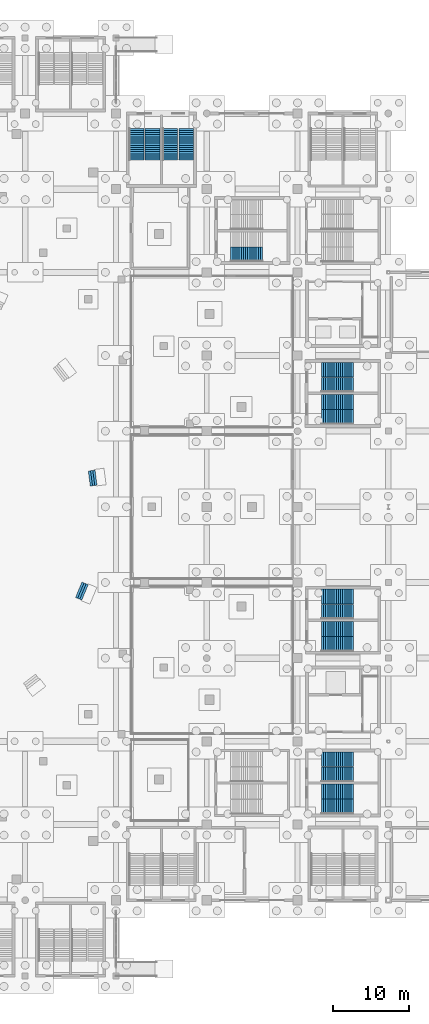
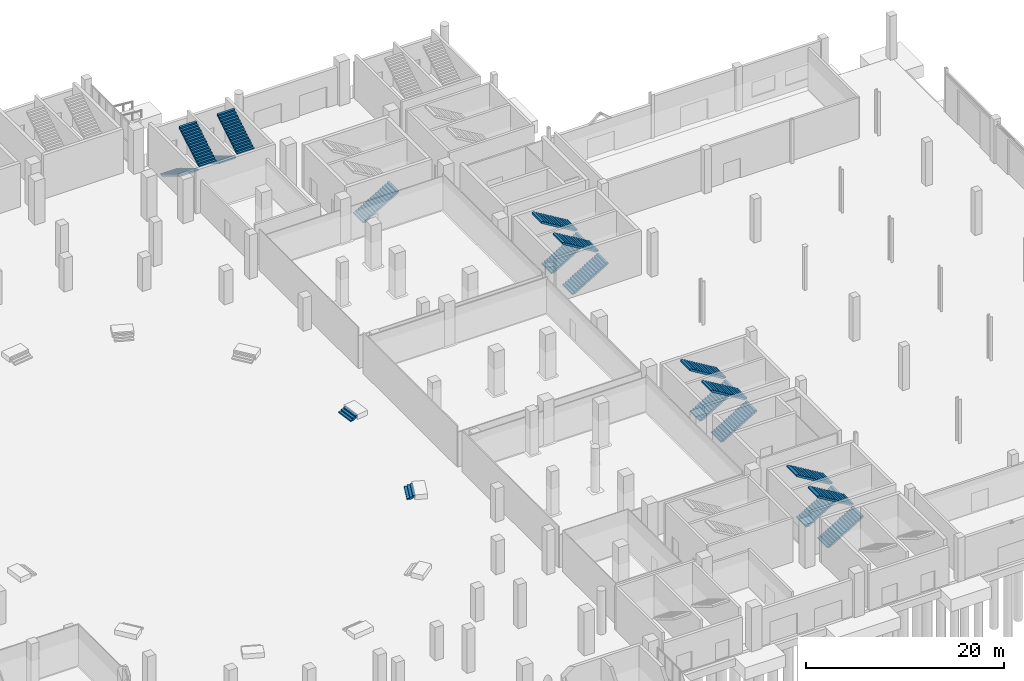
# One storey, part 61 of 70: 19 stair flights, 11 elements without a shape of their own.
"""IFC4 building model written with IfcOpenShell, lengths in metres."""

from ifc_helpers import new_model, si_unit, direction, frame, origin, place, context, subcontext, project, spatial, polyline, outline, extrude, material, layer, layer_set, type_object, element, aggregate, save


model = new_model("IFC4")

# Units and contexts
model_context = context("Model", 3, precision=1e-05, world=origin(), true_north=direction((0.0, 1.0)))
body_context = subcontext(model_context, "Body", "Model", "MODEL_VIEW")
ifc_project = project(units=[si_unit("LENGTHUNIT", "METRE"), si_unit("AREAUNIT", "SQUARE_METRE"), si_unit("VOLUMEUNIT", "CUBIC_METRE"), si_unit("PLANEANGLEUNIT", "RADIAN"), si_unit("MASSUNIT", "GRAM", prefix="KILO")], contexts=[model_context])

# Site, building, storey
site_placement = place(None, origin())
site = spatial("IfcSite", under=ifc_project, at=site_placement, CompositionType="ELEMENT")
building_placement = place(site_placement, origin())
building = spatial("IfcBuilding", under=site, at=building_placement, Name="Brinegate Civic Arena", CompositionType="ELEMENT")
storey_placement = place(building_placement, origin())
storey = spatial("IfcBuildingStorey", under=building, at=storey_placement, Name="L00", CompositionType="ELEMENT", Elevation=0.0)

# Stair, stair flights
ifc_material = material(Name="Concrete C40/50", Category="concrete")
stair_type_1 = type_object("IfcStairType", Name="STAIR-EXIT-3700", PredefinedType="HALF_TURN_STAIR", material=ifc_material)
stair_1_placement = place(storey_placement, origin())
stair_1 = element("IfcStair", 1, at=stair_1_placement, inside=storey, type_object=stair_type_1, Name="Protected Exit Stair ST-09B (L00)", PredefinedType="HALF_TURN_STAIR")
ifc_layer_1 = layer(ifc_material, 0.179931640625, Name="Concrete C40/50")
ifc_layer_set_1 = layer_set([ifc_layer_1], Name="Concrete C40/50")
stair_flight_type_1 = type_object("IfcStairFlightType", Name="FLIGHT-EXIT-3700", PredefinedType="STRAIGHT", material=ifc_layer_set_1)
stair_flight_1_placement = place(storey_placement, frame((159.169921875, 78.139892578125, 0.0), z_axis=(0.0, 0.0, 1.0), x_axis=(1.0, 0.0, 0.0)))
stair_flight_1 = element("IfcStairFlight", 2, at=stair_flight_1_placement, type_object=stair_flight_type_1, Name="ST-09B flight 1", NumberOfRisers=16, NumberOfTreads=15, PredefinedType="STRAIGHT", RiserHeight=0.16875, TreadLength=0.28, context=body_context, shape_type="SweptSolid", body=[
    extrude(outline(polyline([(0.0, 0.0), (0.0, 0.168701171875), (0.280029296875, 0.168701171875), (0.280029296875, 0.33740234375), (0.56005859375, 0.33740234375), (0.56005859375, 0.50634765625), (0.840087890625, 0.50634765625), (0.840087890625, 0.675048828125), (1.1201171875, 0.675048828125), (1.1201171875, 0.84375), (1.39990234375, 0.84375), (1.39990234375, 1.012451171875), (1.679931640625, 1.012451171875), (1.679931640625, 1.18115234375), (1.9599609375, 1.18115234375), (1.9599609375, 1.35009765625), (2.239990234375, 1.35009765625), (2.239990234375, 1.518798828125), (2.52001953125, 1.518798828125), (2.52001953125, 1.6875), (2.800048828125, 1.6875), (2.800048828125, 1.856201171875), (3.080078125, 1.856201171875), (3.080078125, 2.02490234375), (3.360107421875, 2.02490234375), (3.360107421875, 2.19384765625), (3.639892578125, 2.19384765625), (3.639892578125, 2.362548828125), (3.919921875, 2.362548828125), (3.919921875, 2.53125), (4.199951171875, 2.53125), (4.199951171875, 2.699951171875), (4.199951171875, 2.3212890625), (0.3486328125, 0.0), (0.0, 0.0)])), frame((0.0, 0.97998046875, 0.0), z_axis=(0.0, -1.0, 0.0), x_axis=(1.0, 0.0, 0.0)), (0.0, 0.0, 1.0), 1.9599609375),
])
stair_flight_2_placement = place(storey_placement, frame((163.3701171875, 80.110107421875, 2.699951171875), z_axis=(0.0, 0.0, 1.0), x_axis=(-1.0, 0.0, 0.0)))
stair_flight_2 = element("IfcStairFlight", 3, at=stair_flight_2_placement, type_object=stair_flight_type_1, Name="ST-09B flight 2", NumberOfRisers=16, NumberOfTreads=15, PredefinedType="STRAIGHT", RiserHeight=0.16875, TreadLength=0.28, context=body_context, shape_type="SweptSolid", body=[
    extrude(outline(polyline([(0.0, 0.0), (0.0, 0.168701171875), (0.280029296875, 0.168701171875), (0.280029296875, 0.33740234375), (0.56005859375, 0.33740234375), (0.56005859375, 0.50634765625), (0.840087890625, 0.50634765625), (0.840087890625, 0.675048828125), (1.1201171875, 0.675048828125), (1.1201171875, 0.84375), (1.39990234375, 0.84375), (1.39990234375, 1.012451171875), (1.679931640625, 1.012451171875), (1.679931640625, 1.18115234375), (1.9599609375, 1.18115234375), (1.9599609375, 1.35009765625), (2.239990234375, 1.35009765625), (2.239990234375, 1.518798828125), (2.52001953125, 1.518798828125), (2.52001953125, 1.6875), (2.800048828125, 1.6875), (2.800048828125, 1.856201171875), (3.080078125, 1.856201171875), (3.080078125, 2.02490234375), (3.360107421875, 2.02490234375), (3.360107421875, 2.19384765625), (3.639892578125, 2.19384765625), (3.639892578125, 2.362548828125), (3.919921875, 2.362548828125), (3.919921875, 2.53125), (4.199951171875, 2.53125), (4.199951171875, 2.699951171875), (4.199951171875, 2.3212890625), (0.3486328125, 0.0), (0.0, 0.0)])), frame((0.0, 0.97998046875, 0.0), z_axis=(0.0, -1.0, 0.0), x_axis=(1.0, 0.0, 0.0)), (0.0, 0.0, 1.0), 1.9599609375),
])
aggregate(stair_1, [stair_flight_1, stair_flight_2])

stair_2_placement = place(storey_placement, origin())
stair_2 = element("IfcStair", 4, at=stair_2_placement, inside=storey, type_object=stair_type_1, Name="Protected Exit Stair ST-10B (L00)", PredefinedType="HALF_TURN_STAIR")
stair_flight_3_placement = place(storey_placement, frame((159.169921875, 48.139892578125, 0.0), z_axis=(0.0, 0.0, 1.0), x_axis=(1.0, 0.0, 0.0)))
stair_flight_3 = element("IfcStairFlight", 5, at=stair_flight_3_placement, type_object=stair_flight_type_1, Name="ST-10B flight 1", NumberOfRisers=16, NumberOfTreads=15, PredefinedType="STRAIGHT", RiserHeight=0.16875, TreadLength=0.28, context=body_context, shape_type="SweptSolid", body=[
    extrude(outline(polyline([(0.0, 0.0), (0.0, 0.168701171875), (0.280029296875, 0.168701171875), (0.280029296875, 0.33740234375), (0.56005859375, 0.33740234375), (0.56005859375, 0.50634765625), (0.840087890625, 0.50634765625), (0.840087890625, 0.675048828125), (1.1201171875, 0.675048828125), (1.1201171875, 0.84375), (1.39990234375, 0.84375), (1.39990234375, 1.012451171875), (1.679931640625, 1.012451171875), (1.679931640625, 1.18115234375), (1.9599609375, 1.18115234375), (1.9599609375, 1.35009765625), (2.239990234375, 1.35009765625), (2.239990234375, 1.518798828125), (2.52001953125, 1.518798828125), (2.52001953125, 1.6875), (2.800048828125, 1.6875), (2.800048828125, 1.856201171875), (3.080078125, 1.856201171875), (3.080078125, 2.02490234375), (3.360107421875, 2.02490234375), (3.360107421875, 2.19384765625), (3.639892578125, 2.19384765625), (3.639892578125, 2.362548828125), (3.919921875, 2.362548828125), (3.919921875, 2.53125), (4.199951171875, 2.53125), (4.199951171875, 2.699951171875), (4.199951171875, 2.3212890625), (0.3486328125, 0.0), (0.0, 0.0)])), frame((0.0, 0.97998046875, 0.0), z_axis=(0.0, -1.0, 0.0), x_axis=(1.0, 0.0, 0.0)), (0.0, 0.0, 1.0), 1.9599609375),
])
stair_flight_4_placement = place(storey_placement, frame((163.3701171875, 50.1298828125, 2.699951171875), z_axis=(0.0, 0.0, 1.0), x_axis=(-1.0, 0.0, 0.0)))
stair_flight_4 = element("IfcStairFlight", 6, at=stair_flight_4_placement, type_object=stair_flight_type_1, Name="ST-10B flight 2", NumberOfRisers=16, NumberOfTreads=15, PredefinedType="STRAIGHT", RiserHeight=0.16875, TreadLength=0.28, context=body_context, shape_type="SweptSolid", body=[
    extrude(outline(polyline([(0.0, 0.0), (0.0, 0.168701171875), (0.280029296875, 0.168701171875), (0.280029296875, 0.33740234375), (0.56005859375, 0.33740234375), (0.56005859375, 0.50634765625), (0.840087890625, 0.50634765625), (0.840087890625, 0.675048828125), (1.1201171875, 0.675048828125), (1.1201171875, 0.84375), (1.39990234375, 0.84375), (1.39990234375, 1.012451171875), (1.679931640625, 1.012451171875), (1.679931640625, 1.18115234375), (1.9599609375, 1.18115234375), (1.9599609375, 1.35009765625), (2.239990234375, 1.35009765625), (2.239990234375, 1.518798828125), (2.52001953125, 1.518798828125), (2.52001953125, 1.6875), (2.800048828125, 1.6875), (2.800048828125, 1.856201171875), (3.080078125, 1.856201171875), (3.080078125, 2.02490234375), (3.360107421875, 2.02490234375), (3.360107421875, 2.19384765625), (3.639892578125, 2.19384765625), (3.639892578125, 2.362548828125), (3.919921875, 2.362548828125), (3.919921875, 2.53125), (4.199951171875, 2.53125), (4.199951171875, 2.699951171875), (4.199951171875, 2.3212890625), (0.3486328125, 0.0), (0.0, 0.0)])), frame((0.0, 0.97998046875, 0.0), z_axis=(0.0, -1.0, 0.0), x_axis=(1.0, 0.0, 0.0)), (0.0, 0.0, 1.0), 1.9599609375),
])
aggregate(stair_2, [stair_flight_3, stair_flight_4])

stair_3_placement = place(storey_placement, origin())
stair_3 = element("IfcStair", 7, at=stair_3_placement, inside=storey, type_object=stair_type_1, Name="Protected Exit Stair ST-13B (L00)", PredefinedType="HALF_TURN_STAIR")
stair_flight_5_placement = place(storey_placement, frame((139.139892578125, 112.030029296875, 0.0), z_axis=(0.0, 0.0, 1.0), x_axis=(0.0, -1.0, 0.0)))
stair_flight_5 = element("IfcStairFlight", 8, at=stair_flight_5_placement, type_object=stair_flight_type_1, Name="ST-13B flight 1", NumberOfRisers=16, NumberOfTreads=15, PredefinedType="STRAIGHT", RiserHeight=0.16875, TreadLength=0.28, context=body_context, shape_type="SweptSolid", body=[
    extrude(outline(polyline([(0.0, 0.0), (0.0, 0.168701171875), (0.280029296875, 0.168701171875), (0.280029296875, 0.33740234375), (0.56005859375, 0.33740234375), (0.56005859375, 0.50634765625), (0.840087890625, 0.50634765625), (0.840087890625, 0.675048828125), (1.1201171875, 0.675048828125), (1.1201171875, 0.84375), (1.39990234375, 0.84375), (1.39990234375, 1.012451171875), (1.679931640625, 1.012451171875), (1.679931640625, 1.18115234375), (1.9599609375, 1.18115234375), (1.9599609375, 1.35009765625), (2.239990234375, 1.35009765625), (2.239990234375, 1.518798828125), (2.52001953125, 1.518798828125), (2.52001953125, 1.6875), (2.800048828125, 1.6875), (2.800048828125, 1.856201171875), (3.080078125, 1.856201171875), (3.080078125, 2.02490234375), (3.360107421875, 2.02490234375), (3.360107421875, 2.19384765625), (3.639892578125, 2.19384765625), (3.639892578125, 2.362548828125), (3.919921875, 2.362548828125), (3.919921875, 2.53125), (4.199951171875, 2.53125), (4.199951171875, 2.699951171875), (4.199951171875, 2.3212890625), (0.3486328125, 0.0), (0.0, 0.0)])), frame((0.0, 0.97998046875, 0.0), z_axis=(0.0, -1.0, 0.0), x_axis=(1.0, 0.0, 0.0)), (0.0, 0.0, 1.0), 1.9599609375),
])
stair_flight_6_placement = place(storey_placement, frame((141.280029296875, 107.830078125, 2.699951171875), z_axis=(0.0, 0.0, 1.0), x_axis=(0.0, 1.0, 0.0)))
stair_flight_6 = element("IfcStairFlight", 9, at=stair_flight_6_placement, type_object=stair_flight_type_1, Name="ST-13B flight 2", NumberOfRisers=16, NumberOfTreads=15, PredefinedType="STRAIGHT", RiserHeight=0.16875, TreadLength=0.28, context=body_context, shape_type="SweptSolid", body=[
    extrude(outline(polyline([(0.0, 0.0), (0.0, 0.168701171875), (0.280029296875, 0.168701171875), (0.280029296875, 0.33740234375), (0.56005859375, 0.33740234375), (0.56005859375, 0.50634765625), (0.840087890625, 0.50634765625), (0.840087890625, 0.675048828125), (1.1201171875, 0.675048828125), (1.1201171875, 0.84375), (1.39990234375, 0.84375), (1.39990234375, 1.012451171875), (1.679931640625, 1.012451171875), (1.679931640625, 1.18115234375), (1.9599609375, 1.18115234375), (1.9599609375, 1.35009765625), (2.239990234375, 1.35009765625), (2.239990234375, 1.518798828125), (2.52001953125, 1.518798828125), (2.52001953125, 1.6875), (2.800048828125, 1.6875), (2.800048828125, 1.856201171875), (3.080078125, 1.856201171875), (3.080078125, 2.02490234375), (3.360107421875, 2.02490234375), (3.360107421875, 2.19384765625), (3.639892578125, 2.19384765625), (3.639892578125, 2.362548828125), (3.919921875, 2.362548828125), (3.919921875, 2.53125), (4.199951171875, 2.53125), (4.199951171875, 2.699951171875), (4.199951171875, 2.3212890625), (0.3486328125, 0.0), (0.0, 0.0)])), frame((0.0, 0.97998046875, 0.0), z_axis=(0.0, -1.0, 0.0), x_axis=(1.0, 0.0, 0.0)), (0.0, 0.0, 1.0), 1.9599609375),
])
aggregate(stair_3, [stair_flight_5, stair_flight_6])

stair_4_placement = place(storey_placement, origin())
stair_4 = element("IfcStair", 10, at=stair_4_placement, inside=storey, type_object=stair_type_1, Name="Protected Exit Stair ST-19B (L00)", PredefinedType="HALF_TURN_STAIR")
stair_flight_7_placement = place(storey_placement, frame((159.169921875, 26.639892578125, 0.0), z_axis=(0.0, 0.0, 1.0), x_axis=(1.0, 0.0, 0.0)))
stair_flight_7 = element("IfcStairFlight", 11, at=stair_flight_7_placement, type_object=stair_flight_type_1, Name="ST-19B flight 1", NumberOfRisers=16, NumberOfTreads=15, PredefinedType="STRAIGHT", RiserHeight=0.16875, TreadLength=0.28, context=body_context, shape_type="SweptSolid", body=[
    extrude(outline(polyline([(0.0, 0.0), (0.0, 0.168701171875), (0.280029296875, 0.168701171875), (0.280029296875, 0.33740234375), (0.56005859375, 0.33740234375), (0.56005859375, 0.50634765625), (0.840087890625, 0.50634765625), (0.840087890625, 0.675048828125), (1.1201171875, 0.675048828125), (1.1201171875, 0.84375), (1.39990234375, 0.84375), (1.39990234375, 1.012451171875), (1.679931640625, 1.012451171875), (1.679931640625, 1.18115234375), (1.9599609375, 1.18115234375), (1.9599609375, 1.35009765625), (2.239990234375, 1.35009765625), (2.239990234375, 1.518798828125), (2.52001953125, 1.518798828125), (2.52001953125, 1.6875), (2.800048828125, 1.6875), (2.800048828125, 1.856201171875), (3.080078125, 1.856201171875), (3.080078125, 2.02490234375), (3.360107421875, 2.02490234375), (3.360107421875, 2.19384765625), (3.639892578125, 2.19384765625), (3.639892578125, 2.362548828125), (3.919921875, 2.362548828125), (3.919921875, 2.53125), (4.199951171875, 2.53125), (4.199951171875, 2.699951171875), (4.199951171875, 2.3212890625), (0.3486328125, 0.0), (0.0, 0.0)])), frame((0.0, 0.97998046875, 0.0), z_axis=(0.0, -1.0, 0.0), x_axis=(1.0, 0.0, 0.0)), (0.0, 0.0, 1.0), 1.9599609375),
])
stair_flight_8_placement = place(storey_placement, frame((163.3701171875, 28.6298828125, 2.699951171875), z_axis=(0.0, 0.0, 1.0), x_axis=(-1.0, 0.0, 0.0)))
stair_flight_8 = element("IfcStairFlight", 12, at=stair_flight_8_placement, type_object=stair_flight_type_1, Name="ST-19B flight 2", NumberOfRisers=16, NumberOfTreads=15, PredefinedType="STRAIGHT", RiserHeight=0.16875, TreadLength=0.28, context=body_context, shape_type="SweptSolid", body=[
    extrude(outline(polyline([(0.0, 0.0), (0.0, 0.168701171875), (0.280029296875, 0.168701171875), (0.280029296875, 0.33740234375), (0.56005859375, 0.33740234375), (0.56005859375, 0.50634765625), (0.840087890625, 0.50634765625), (0.840087890625, 0.675048828125), (1.1201171875, 0.675048828125), (1.1201171875, 0.84375), (1.39990234375, 0.84375), (1.39990234375, 1.012451171875), (1.679931640625, 1.012451171875), (1.679931640625, 1.18115234375), (1.9599609375, 1.18115234375), (1.9599609375, 1.35009765625), (2.239990234375, 1.35009765625), (2.239990234375, 1.518798828125), (2.52001953125, 1.518798828125), (2.52001953125, 1.6875), (2.800048828125, 1.6875), (2.800048828125, 1.856201171875), (3.080078125, 1.856201171875), (3.080078125, 2.02490234375), (3.360107421875, 2.02490234375), (3.360107421875, 2.19384765625), (3.639892578125, 2.19384765625), (3.639892578125, 2.362548828125), (3.919921875, 2.362548828125), (3.919921875, 2.53125), (4.199951171875, 2.53125), (4.199951171875, 2.699951171875), (4.199951171875, 2.3212890625), (0.3486328125, 0.0), (0.0, 0.0)])), frame((0.0, 0.97998046875, 0.0), z_axis=(0.0, -1.0, 0.0), x_axis=(1.0, 0.0, 0.0)), (0.0, 0.0, 1.0), 1.9599609375),
])
aggregate(stair_4, [stair_flight_7, stair_flight_8])

stair_type_2 = type_object("IfcStairType", Name="STAIR-EXIT-3850", PredefinedType="HALF_TURN_STAIR", material=ifc_material)
stair_5_placement = place(storey_placement, origin())
stair_5 = element("IfcStair", 13, at=stair_5_placement, inside=storey, type_object=stair_type_2, Name="Protected Exit Stair ST-09A (L00)", PredefinedType="HALF_TURN_STAIR")
ifc_layer_2 = layer(ifc_material, 0.179931640625, Name="Concrete C40/50")
ifc_layer_set_2 = layer_set([ifc_layer_2], Name="Concrete C40/50")
stair_flight_type_2 = type_object("IfcStairFlightType", Name="FLIGHT-EXIT-3850", PredefinedType="STRAIGHT", material=ifc_layer_set_2)
stair_flight_9_placement = place(storey_placement, frame((159.169921875, 73.89306640625, 0.0), z_axis=(0.0, 0.0, 1.0), x_axis=(1.0, 0.0, 0.0)))
stair_flight_9 = element("IfcStairFlight", 14, at=stair_flight_9_placement, type_object=stair_flight_type_2, Name="ST-09A flight 1", NumberOfRisers=16, NumberOfTreads=15, PredefinedType="STRAIGHT", RiserHeight=0.16875, TreadLength=0.28, context=body_context, shape_type="SweptSolid", body=[
    extrude(outline(polyline([(0.0, 0.0), (0.0, 0.168701171875), (0.280029296875, 0.168701171875), (0.280029296875, 0.33740234375), (0.56005859375, 0.33740234375), (0.56005859375, 0.50634765625), (0.840087890625, 0.50634765625), (0.840087890625, 0.675048828125), (1.1201171875, 0.675048828125), (1.1201171875, 0.84375), (1.39990234375, 0.84375), (1.39990234375, 1.012451171875), (1.679931640625, 1.012451171875), (1.679931640625, 1.18115234375), (1.9599609375, 1.18115234375), (1.9599609375, 1.35009765625), (2.239990234375, 1.35009765625), (2.239990234375, 1.518798828125), (2.52001953125, 1.518798828125), (2.52001953125, 1.6875), (2.800048828125, 1.6875), (2.800048828125, 1.856201171875), (3.080078125, 1.856201171875), (3.080078125, 2.02490234375), (3.360107421875, 2.02490234375), (3.360107421875, 2.19384765625), (3.639892578125, 2.19384765625), (3.639892578125, 2.362548828125), (3.919921875, 2.362548828125), (3.919921875, 2.53125), (4.199951171875, 2.53125), (4.199951171875, 2.699951171875), (4.199951171875, 2.3212890625), (0.3486328125, 0.0), (0.0, 0.0)])), frame((0.0, 0.982421875, 0.0), z_axis=(0.0, -1.0, 0.0), x_axis=(1.0, 0.0, 0.0)), (0.0, 0.0, 1.0), 1.965087890625),
])
stair_flight_10_placement = place(storey_placement, frame((163.3701171875, 75.85791015625, 2.699951171875), z_axis=(0.0, 0.0, 1.0), x_axis=(-1.0, 0.0, 0.0)))
stair_flight_10 = element("IfcStairFlight", 15, at=stair_flight_10_placement, type_object=stair_flight_type_2, Name="ST-09A flight 2", NumberOfRisers=16, NumberOfTreads=15, PredefinedType="STRAIGHT", RiserHeight=0.16875, TreadLength=0.28, context=body_context, shape_type="SweptSolid", body=[
    extrude(outline(polyline([(0.0, 0.0), (0.0, 0.168701171875), (0.280029296875, 0.168701171875), (0.280029296875, 0.33740234375), (0.56005859375, 0.33740234375), (0.56005859375, 0.50634765625), (0.840087890625, 0.50634765625), (0.840087890625, 0.675048828125), (1.1201171875, 0.675048828125), (1.1201171875, 0.84375), (1.39990234375, 0.84375), (1.39990234375, 1.012451171875), (1.679931640625, 1.012451171875), (1.679931640625, 1.18115234375), (1.9599609375, 1.18115234375), (1.9599609375, 1.35009765625), (2.239990234375, 1.35009765625), (2.239990234375, 1.518798828125), (2.52001953125, 1.518798828125), (2.52001953125, 1.6875), (2.800048828125, 1.6875), (2.800048828125, 1.856201171875), (3.080078125, 1.856201171875), (3.080078125, 2.02490234375), (3.360107421875, 2.02490234375), (3.360107421875, 2.19384765625), (3.639892578125, 2.19384765625), (3.639892578125, 2.362548828125), (3.919921875, 2.362548828125), (3.919921875, 2.53125), (4.199951171875, 2.53125), (4.199951171875, 2.699951171875), (4.199951171875, 2.3212890625), (0.3486328125, 0.0), (0.0, 0.0)])), frame((0.0, 0.982421875, 0.0), z_axis=(0.0, -1.0, 0.0), x_axis=(1.0, 0.0, 0.0)), (0.0, 0.0, 1.0), 1.965087890625),
])
aggregate(stair_5, [stair_flight_9, stair_flight_10])

stair_6_placement = place(storey_placement, origin())
stair_6 = element("IfcStair", 16, at=stair_6_placement, inside=storey, type_object=stair_type_2, Name="Protected Exit Stair ST-10A (L00)", PredefinedType="HALF_TURN_STAIR")
stair_flight_11_placement = place(storey_placement, frame((159.169921875, 43.8779296875, 0.0), z_axis=(0.0, 0.0, 1.0), x_axis=(1.0, 0.0, 0.0)))
stair_flight_11 = element("IfcStairFlight", 17, at=stair_flight_11_placement, type_object=stair_flight_type_2, Name="ST-10A flight 1", NumberOfRisers=16, NumberOfTreads=15, PredefinedType="STRAIGHT", RiserHeight=0.16875, TreadLength=0.28, context=body_context, shape_type="SweptSolid", body=[
    extrude(outline(polyline([(0.0, 0.0), (0.0, 0.168701171875), (0.280029296875, 0.168701171875), (0.280029296875, 0.33740234375), (0.56005859375, 0.33740234375), (0.56005859375, 0.50634765625), (0.840087890625, 0.50634765625), (0.840087890625, 0.675048828125), (1.1201171875, 0.675048828125), (1.1201171875, 0.84375), (1.39990234375, 0.84375), (1.39990234375, 1.012451171875), (1.679931640625, 1.012451171875), (1.679931640625, 1.18115234375), (1.9599609375, 1.18115234375), (1.9599609375, 1.35009765625), (2.239990234375, 1.35009765625), (2.239990234375, 1.518798828125), (2.52001953125, 1.518798828125), (2.52001953125, 1.6875), (2.800048828125, 1.6875), (2.800048828125, 1.856201171875), (3.080078125, 1.856201171875), (3.080078125, 2.02490234375), (3.360107421875, 2.02490234375), (3.360107421875, 2.19384765625), (3.639892578125, 2.19384765625), (3.639892578125, 2.362548828125), (3.919921875, 2.362548828125), (3.919921875, 2.53125), (4.199951171875, 2.53125), (4.199951171875, 2.699951171875), (4.199951171875, 2.3212890625), (0.3486328125, 0.0), (0.0, 0.0)])), frame((0.0, 0.987548828125, 0.0), z_axis=(0.0, -1.0, 0.0), x_axis=(1.0, 0.0, 0.0)), (0.0, 0.0, 1.0), 1.97509765625),
])
stair_flight_12_placement = place(storey_placement, frame((163.3701171875, 45.85302734375, 2.699951171875), z_axis=(0.0, 0.0, 1.0), x_axis=(-1.0, 0.0, 0.0)))
stair_flight_12 = element("IfcStairFlight", 18, at=stair_flight_12_placement, type_object=stair_flight_type_2, Name="ST-10A flight 2", NumberOfRisers=16, NumberOfTreads=15, PredefinedType="STRAIGHT", RiserHeight=0.16875, TreadLength=0.28, context=body_context, shape_type="SweptSolid", body=[
    extrude(outline(polyline([(0.0, 0.0), (0.0, 0.168701171875), (0.280029296875, 0.168701171875), (0.280029296875, 0.33740234375), (0.56005859375, 0.33740234375), (0.56005859375, 0.50634765625), (0.840087890625, 0.50634765625), (0.840087890625, 0.675048828125), (1.1201171875, 0.675048828125), (1.1201171875, 0.84375), (1.39990234375, 0.84375), (1.39990234375, 1.012451171875), (1.679931640625, 1.012451171875), (1.679931640625, 1.18115234375), (1.9599609375, 1.18115234375), (1.9599609375, 1.35009765625), (2.239990234375, 1.35009765625), (2.239990234375, 1.518798828125), (2.52001953125, 1.518798828125), (2.52001953125, 1.6875), (2.800048828125, 1.6875), (2.800048828125, 1.856201171875), (3.080078125, 1.856201171875), (3.080078125, 2.02490234375), (3.360107421875, 2.02490234375), (3.360107421875, 2.19384765625), (3.639892578125, 2.19384765625), (3.639892578125, 2.362548828125), (3.919921875, 2.362548828125), (3.919921875, 2.53125), (4.199951171875, 2.53125), (4.199951171875, 2.699951171875), (4.199951171875, 2.3212890625), (0.3486328125, 0.0), (0.0, 0.0)])), frame((0.0, 0.987548828125, 0.0), z_axis=(0.0, -1.0, 0.0), x_axis=(1.0, 0.0, 0.0)), (0.0, 0.0, 1.0), 1.97509765625),
])
aggregate(stair_6, [stair_flight_11, stair_flight_12])

stair_7_placement = place(storey_placement, origin())
stair_7 = element("IfcStair", 19, at=stair_7_placement, inside=storey, type_object=stair_type_2, Name="Protected Exit Stair ST-13A (L00)", PredefinedType="HALF_TURN_STAIR")
stair_flight_13_placement = place(storey_placement, frame((134.72998046875, 112.030029296875, 0.0), z_axis=(0.0, 0.0, 1.0), x_axis=(0.0, -1.0, 0.0)))
stair_flight_13 = element("IfcStairFlight", 20, at=stair_flight_13_placement, type_object=stair_flight_type_2, Name="ST-13A flight 1", NumberOfRisers=16, NumberOfTreads=15, PredefinedType="STRAIGHT", RiserHeight=0.16875, TreadLength=0.28, context=body_context, shape_type="SweptSolid", body=[
    extrude(outline(polyline([(0.0, 0.0), (0.0, 0.168701171875), (0.280029296875, 0.168701171875), (0.280029296875, 0.33740234375), (0.56005859375, 0.33740234375), (0.56005859375, 0.50634765625), (0.840087890625, 0.50634765625), (0.840087890625, 0.675048828125), (1.1201171875, 0.675048828125), (1.1201171875, 0.84375), (1.39990234375, 0.84375), (1.39990234375, 1.012451171875), (1.679931640625, 1.012451171875), (1.679931640625, 1.18115234375), (1.9599609375, 1.18115234375), (1.9599609375, 1.35009765625), (2.239990234375, 1.35009765625), (2.239990234375, 1.518798828125), (2.52001953125, 1.518798828125), (2.52001953125, 1.6875), (2.800048828125, 1.6875), (2.800048828125, 1.856201171875), (3.080078125, 1.856201171875), (3.080078125, 2.02490234375), (3.360107421875, 2.02490234375), (3.360107421875, 2.19384765625), (3.639892578125, 2.19384765625), (3.639892578125, 2.362548828125), (3.919921875, 2.362548828125), (3.919921875, 2.53125), (4.199951171875, 2.53125), (4.199951171875, 2.699951171875), (4.199951171875, 2.3212890625), (0.3486328125, 0.0), (0.0, 0.0)])), frame((0.0, 0.989990234375, 0.0), z_axis=(0.0, -1.0, 0.0), x_axis=(1.0, 0.0, 0.0)), (0.0, 0.0, 1.0), 1.97998046875),
])
stair_flight_14_placement = place(storey_placement, frame((136.85009765625, 107.830078125, 2.699951171875), z_axis=(0.0, 0.0, 1.0), x_axis=(0.0, 1.0, 0.0)))
stair_flight_14 = element("IfcStairFlight", 21, at=stair_flight_14_placement, type_object=stair_flight_type_2, Name="ST-13A flight 2", NumberOfRisers=16, NumberOfTreads=15, PredefinedType="STRAIGHT", RiserHeight=0.16875, TreadLength=0.28, context=body_context, shape_type="SweptSolid", body=[
    extrude(outline(polyline([(0.0, 0.0), (0.0, 0.168701171875), (0.280029296875, 0.168701171875), (0.280029296875, 0.33740234375), (0.56005859375, 0.33740234375), (0.56005859375, 0.50634765625), (0.840087890625, 0.50634765625), (0.840087890625, 0.675048828125), (1.1201171875, 0.675048828125), (1.1201171875, 0.84375), (1.39990234375, 0.84375), (1.39990234375, 1.012451171875), (1.679931640625, 1.012451171875), (1.679931640625, 1.18115234375), (1.9599609375, 1.18115234375), (1.9599609375, 1.35009765625), (2.239990234375, 1.35009765625), (2.239990234375, 1.518798828125), (2.52001953125, 1.518798828125), (2.52001953125, 1.6875), (2.800048828125, 1.6875), (2.800048828125, 1.856201171875), (3.080078125, 1.856201171875), (3.080078125, 2.02490234375), (3.360107421875, 2.02490234375), (3.360107421875, 2.19384765625), (3.639892578125, 2.19384765625), (3.639892578125, 2.362548828125), (3.919921875, 2.362548828125), (3.919921875, 2.53125), (4.199951171875, 2.53125), (4.199951171875, 2.699951171875), (4.199951171875, 2.3212890625), (0.3486328125, 0.0), (0.0, 0.0)])), frame((0.0, 0.989990234375, 0.0), z_axis=(0.0, -1.0, 0.0), x_axis=(1.0, 0.0, 0.0)), (0.0, 0.0, 1.0), 1.97998046875),
])
aggregate(stair_7, [stair_flight_13, stair_flight_14])

# Stair, stair flight
stair_8_placement = place(storey_placement, origin())
stair_8 = element("IfcStair", 22, at=stair_8_placement, inside=storey, type_object=stair_type_2, Name="Protected Exit Stair ST-18A (L00)", PredefinedType="HALF_TURN_STAIR")
stair_flight_15_placement = place(storey_placement, frame((147.169921875, 95.39306640625, 0.0), z_axis=(0.0, 0.0, 1.0), x_axis=(1.0, 0.0, 0.0)))
stair_flight_15 = element("IfcStairFlight", 23, at=stair_flight_15_placement, type_object=stair_flight_type_2, Name="ST-18A flight 1", NumberOfRisers=16, NumberOfTreads=15, PredefinedType="STRAIGHT", RiserHeight=0.16875, TreadLength=0.28, context=body_context, shape_type="SweptSolid", body=[
    extrude(outline(polyline([(0.0, 0.0), (0.0, 0.168701171875), (0.280029296875, 0.168701171875), (0.280029296875, 0.33740234375), (0.56005859375, 0.33740234375), (0.56005859375, 0.50634765625), (0.840087890625, 0.50634765625), (0.840087890625, 0.675048828125), (1.1201171875, 0.675048828125), (1.1201171875, 0.84375), (1.39990234375, 0.84375), (1.39990234375, 1.012451171875), (1.679931640625, 1.012451171875), (1.679931640625, 1.18115234375), (1.9599609375, 1.18115234375), (1.9599609375, 1.35009765625), (2.239990234375, 1.35009765625), (2.239990234375, 1.518798828125), (2.52001953125, 1.518798828125), (2.52001953125, 1.6875), (2.800048828125, 1.6875), (2.800048828125, 1.856201171875), (3.080078125, 1.856201171875), (3.080078125, 2.02490234375), (3.360107421875, 2.02490234375), (3.360107421875, 2.19384765625), (3.639892578125, 2.19384765625), (3.639892578125, 2.362548828125), (3.919921875, 2.362548828125), (3.919921875, 2.53125), (4.199951171875, 2.53125), (4.199951171875, 2.699951171875), (4.199951171875, 2.3212890625), (0.3486328125, 0.0), (0.0, 0.0)])), frame((0.0, 0.982421875, 0.0), z_axis=(0.0, -1.0, 0.0), x_axis=(1.0, 0.0, 0.0)), (0.0, 0.0, 1.0), 1.965087890625),
])
aggregate(stair_8, [stair_flight_15])

# Stair, stair flights
stair_9_placement = place(storey_placement, origin())
stair_9 = element("IfcStair", 24, at=stair_9_placement, inside=storey, type_object=stair_type_2, Name="Protected Exit Stair ST-19A (L00)", PredefinedType="HALF_TURN_STAIR")
stair_flight_16_placement = place(storey_placement, frame((159.169921875, 22.3779296875, 0.0), z_axis=(0.0, 0.0, 1.0), x_axis=(1.0, 0.0, 0.0)))
stair_flight_16 = element("IfcStairFlight", 25, at=stair_flight_16_placement, type_object=stair_flight_type_2, Name="ST-19A flight 1", NumberOfRisers=16, NumberOfTreads=15, PredefinedType="STRAIGHT", RiserHeight=0.16875, TreadLength=0.28, context=body_context, shape_type="SweptSolid", body=[
    extrude(outline(polyline([(0.0, 0.0), (0.0, 0.168701171875), (0.280029296875, 0.168701171875), (0.280029296875, 0.33740234375), (0.56005859375, 0.33740234375), (0.56005859375, 0.50634765625), (0.840087890625, 0.50634765625), (0.840087890625, 0.675048828125), (1.1201171875, 0.675048828125), (1.1201171875, 0.84375), (1.39990234375, 0.84375), (1.39990234375, 1.012451171875), (1.679931640625, 1.012451171875), (1.679931640625, 1.18115234375), (1.9599609375, 1.18115234375), (1.9599609375, 1.35009765625), (2.239990234375, 1.35009765625), (2.239990234375, 1.518798828125), (2.52001953125, 1.518798828125), (2.52001953125, 1.6875), (2.800048828125, 1.6875), (2.800048828125, 1.856201171875), (3.080078125, 1.856201171875), (3.080078125, 2.02490234375), (3.360107421875, 2.02490234375), (3.360107421875, 2.19384765625), (3.639892578125, 2.19384765625), (3.639892578125, 2.362548828125), (3.919921875, 2.362548828125), (3.919921875, 2.53125), (4.199951171875, 2.53125), (4.199951171875, 2.699951171875), (4.199951171875, 2.3212890625), (0.3486328125, 0.0), (0.0, 0.0)])), frame((0.0, 0.987548828125, 0.0), z_axis=(0.0, -1.0, 0.0), x_axis=(1.0, 0.0, 0.0)), (0.0, 0.0, 1.0), 1.97509765625),
])
stair_flight_17_placement = place(storey_placement, frame((163.3701171875, 24.35302734375, 2.699951171875), z_axis=(0.0, 0.0, 1.0), x_axis=(-1.0, 0.0, 0.0)))
stair_flight_17 = element("IfcStairFlight", 26, at=stair_flight_17_placement, type_object=stair_flight_type_2, Name="ST-19A flight 2", NumberOfRisers=16, NumberOfTreads=15, PredefinedType="STRAIGHT", RiserHeight=0.16875, TreadLength=0.28, context=body_context, shape_type="SweptSolid", body=[
    extrude(outline(polyline([(0.0, 0.0), (0.0, 0.168701171875), (0.280029296875, 0.168701171875), (0.280029296875, 0.33740234375), (0.56005859375, 0.33740234375), (0.56005859375, 0.50634765625), (0.840087890625, 0.50634765625), (0.840087890625, 0.675048828125), (1.1201171875, 0.675048828125), (1.1201171875, 0.84375), (1.39990234375, 0.84375), (1.39990234375, 1.012451171875), (1.679931640625, 1.012451171875), (1.679931640625, 1.18115234375), (1.9599609375, 1.18115234375), (1.9599609375, 1.35009765625), (2.239990234375, 1.35009765625), (2.239990234375, 1.518798828125), (2.52001953125, 1.518798828125), (2.52001953125, 1.6875), (2.800048828125, 1.6875), (2.800048828125, 1.856201171875), (3.080078125, 1.856201171875), (3.080078125, 2.02490234375), (3.360107421875, 2.02490234375), (3.360107421875, 2.19384765625), (3.639892578125, 2.19384765625), (3.639892578125, 2.362548828125), (3.919921875, 2.362548828125), (3.919921875, 2.53125), (4.199951171875, 2.53125), (4.199951171875, 2.699951171875), (4.199951171875, 2.3212890625), (0.3486328125, 0.0), (0.0, 0.0)])), frame((0.0, 0.987548828125, 0.0), z_axis=(0.0, -1.0, 0.0), x_axis=(1.0, 0.0, 0.0)), (0.0, 0.0, 1.0), 1.97509765625),
])
aggregate(stair_9, [stair_flight_16, stair_flight_17])

# Stair, stair flight
stair_type_3 = type_object("IfcStairType", Name="STAIR-VOMITORY-2000", PredefinedType="STRAIGHT_RUN_STAIR", material=ifc_material)
stair_10_placement = place(storey_placement, origin())
stair_10 = element("IfcStair", 27, at=stair_10_placement, inside=storey, type_object=stair_type_3, Name="Vomitory Stair VS-01", PredefinedType="STRAIGHT_RUN_STAIR")
ifc_layer_3 = layer(ifc_material, 0.159912109375, Name="Concrete C40/50")
ifc_layer_set_3 = layer_set([ifc_layer_3], Name="Concrete C40/50")
stair_flight_type_3 = type_object("IfcStairFlightType", Name="FLIGHT-VOM-2000", PredefinedType="STRAIGHT", material=ifc_layer_set_3)
stair_flight_18_placement = place(storey_placement, frame((128.47412109375, 65.739990234375, 0.0), z_axis=(0.0, 0.0, 1.0), x_axis=(0.991444861374, 0.13052619222, 0.0)))
stair_flight_18 = element("IfcStairFlight", 28, at=stair_flight_18_placement, type_object=stair_flight_type_3, Name="VS-01 flight 1", NumberOfRisers=4, NumberOfTreads=3, PredefinedType="STRAIGHT", RiserHeight=0.15, TreadLength=0.3, context=body_context, shape_type="SweptSolid", body=[
    extrude(outline(polyline([(0.0, 0.0), (0.0, 0.14990234375), (0.300048828125, 0.14990234375), (0.300048828125, 0.300048828125), (0.60009765625, 0.300048828125), (0.60009765625, 0.449951171875), (0.89990234375, 0.449951171875), (0.89990234375, 0.60009765625), (0.89990234375, 0.271240234375), (0.357666015625, 0.0), (0.0, 0.0)])), frame((0.0, 1.0, 0.0), z_axis=(0.0, -1.0, 0.0), x_axis=(1.0, 0.0, 0.0)), (0.0, 0.0, 1.0), 2.0),
])
aggregate(stair_10, [stair_flight_18])

stair_type_4 = type_object("IfcStairType", Name="STAIR-VOMITORY-2200", PredefinedType="STRAIGHT_RUN_STAIR", material=ifc_material)
stair_11_placement = place(storey_placement, origin())
stair_11 = element("IfcStair", 29, at=stair_11_placement, inside=storey, type_object=stair_type_4, Name="Vomitory Stair VS-12", PredefinedType="STRAIGHT_RUN_STAIR")
ifc_layer_4 = layer(ifc_material, 0.159912109375, Name="Concrete C40/50")
ifc_layer_set_4 = layer_set([ifc_layer_4], Name="Concrete C40/50")
stair_flight_type_4 = type_object("IfcStairFlightType", Name="FLIGHT-VOM-2200", PredefinedType="STRAIGHT", material=ifc_layer_set_4)
stair_flight_19_placement = place(storey_placement, frame((127.0791015625, 51.035888671875, 0.0), z_axis=(0.0, 0.0, 1.0), x_axis=(0.923879532511, -0.382683432365, 0.0)))
stair_flight_19 = element("IfcStairFlight", 30, at=stair_flight_19_placement, type_object=stair_flight_type_4, Name="VS-12 flight 1", NumberOfRisers=4, NumberOfTreads=3, PredefinedType="STRAIGHT", RiserHeight=0.15, TreadLength=0.3, context=body_context, shape_type="SweptSolid", body=[
    extrude(outline(polyline([(0.0, 0.0), (0.0, 0.14990234375), (0.300048828125, 0.14990234375), (0.300048828125, 0.300048828125), (0.60009765625, 0.300048828125), (0.60009765625, 0.449951171875), (0.89990234375, 0.449951171875), (0.89990234375, 0.60009765625), (0.89990234375, 0.271240234375), (0.357666015625, 0.0), (0.0, 0.0)])), frame((0.0, 1.10009765625, 0.0), z_axis=(0.0, -1.0, 0.0), x_axis=(1.0, 0.0, 0.0)), (0.0, 0.0, 1.0), 2.199951171875),
])
aggregate(stair_11, [stair_flight_19])

save(model, "model.ifc")
